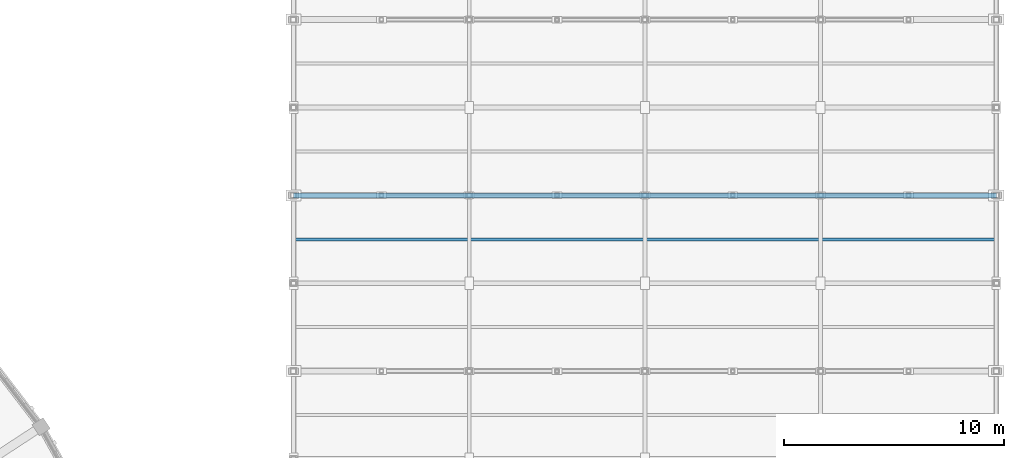
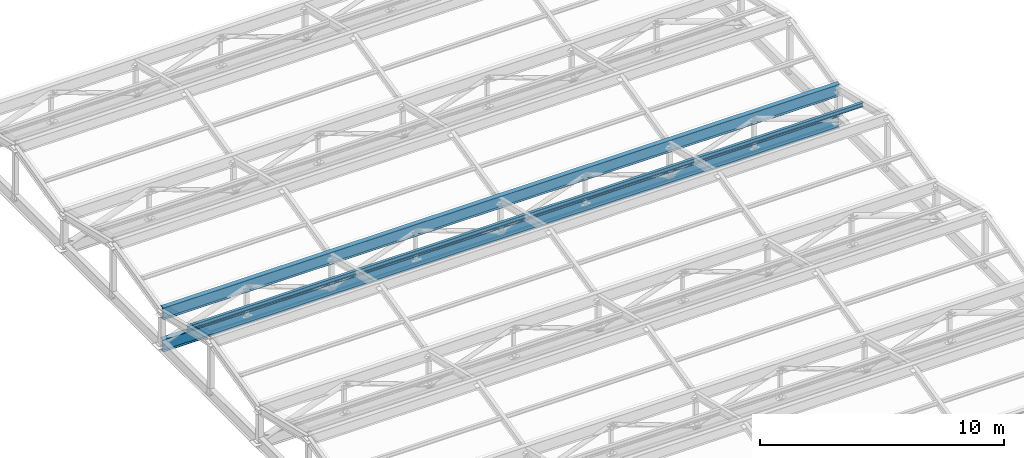
# One storey, part 53 of 112: 3 members.
"""IFC4 building model written with IfcOpenShell, lengths in metres."""

from ifc_helpers import new_model, si_unit, direction, frame, origin, origin_2d, place, context, subcontext, project, spatial, i_section, extrude, material, material_profile, profile_set, type_object, element, save


model = new_model("IFC4")

# Units and contexts
model_context = context("Model", 3, precision=1e-05, world=origin(), true_north=direction((0.0, 1.0)))
body_context = subcontext(model_context, "Body", "Model", "MODEL_VIEW")
ifc_project = project(units=[si_unit("LENGTHUNIT", "METRE"), si_unit("AREAUNIT", "SQUARE_METRE"), si_unit("VOLUMEUNIT", "CUBIC_METRE"), si_unit("PLANEANGLEUNIT", "RADIAN"), si_unit("MASSUNIT", "GRAM", prefix="KILO")], contexts=[model_context])

# Site, building, storey
site_placement = place(None, origin())
site = spatial("IfcSite", under=ifc_project, at=site_placement, CompositionType="ELEMENT")
building_placement = place(site_placement, origin())
building = spatial("IfcBuilding", under=site, at=building_placement, Name="Celadon Cloister-Ring School", CompositionType="ELEMENT")
storey_placement = place(building_placement, frame((0.0, 0.0, 8.5)))
storey = spatial("IfcBuildingStorey", under=building, at=storey_placement, Name="L02", CompositionType="ELEMENT", Elevation=8.5)

# Members
ifc_material_1 = material(Name="Structural steel S355JR", Category="steel")
ifc_material_profile_1 = material_profile(ifc_material_1, i_section(OverallWidth=0.22900390625, OverallDepth=0.612060546875, WebThickness=0.011962890625, FlangeThickness=0.01953125, at=origin_2d()), Name="W610X125")
ifc_profile_set_1 = profile_set([ifc_material_profile_1], Name="Structural steel S355JR")
member_type_1 = type_object("IfcMemberType", Name="MC-01", PredefinedType="CHORD", material=ifc_profile_set_1)
member_1_placement = place(storey_placement, frame((142.0, 98.0, 0.89990234375), z_axis=(1.0, 0.0, 0.0), x_axis=(0.0, 1.0, 0.0)))
element("IfcMember", 1, at=member_1_placement, inside=storey, type_object=member_type_1, Name="Structural Member 0452", PredefinedType="CHORD", context=body_context, shape_type="SweptSolid", body=[
    extrude(i_section(OverallWidth=0.22900390625, OverallDepth=0.612060546875, WebThickness=0.011962890625, FlangeThickness=0.01953125, at=origin_2d()), origin(), (0.0, 0.0, 1.0), 32.0),
])
ifc_material_2 = material(Name="Structural steel S355JR", Category="steel")
ifc_material_profile_2 = material_profile(ifc_material_2, i_section(OverallWidth=0.22802734375, OverallDepth=0.60302734375, WebThickness=0.010498046875, FlangeThickness=0.014892578125, at=origin_2d()), Name="W610X101")
ifc_profile_set_2 = profile_set([ifc_material_profile_2], Name="Structural steel S355JR")
member_type_2 = type_object("IfcMemberType", Name="MC-02", PredefinedType="CHORD", material=ifc_profile_set_2)
member_2_placement = place(storey_placement, frame((142.0, 98.0, 2.5), z_axis=(1.0, 0.0, 0.0), x_axis=(0.0, 1.0, 0.0)))
element("IfcMember", 2, at=member_2_placement, inside=storey, type_object=member_type_2, Name="Structural Member 0453", PredefinedType="CHORD", context=body_context, shape_type="SweptSolid", body=[
    extrude(i_section(OverallWidth=0.22802734375, OverallDepth=0.60302734375, WebThickness=0.010498046875, FlangeThickness=0.014892578125, at=origin_2d()), origin(), (0.0, 0.0, 1.0), 32.0),
])
ifc_material_3 = material(Name="Structural steel S355JR", Category="steel")
ifc_material_profile_3 = material_profile(ifc_material_3, i_section(OverallWidth=0.133056640625, OverallDepth=0.20703125, WebThickness=0.005859375, FlangeThickness=0.00830078125, at=origin_2d()), Name="W200X27")
ifc_profile_set_3 = profile_set([ifc_material_profile_3], Name="Structural steel S355JR")
member_type_3 = type_object("IfcMemberType", Name="MP-04", PredefinedType="PURLIN", material=ifc_profile_set_3)
member_3_placement = place(storey_placement, frame((142.02001953125, 96.0, 2.949951171875), z_axis=(1.0, 0.0, 0.0), x_axis=(0.0, 1.0, 0.0)))
element("IfcMember", 3, at=member_3_placement, inside=storey, type_object=member_type_3, Name="Structural Member 0551", PredefinedType="PURLIN", context=body_context, shape_type="SweptSolid", body=[
    extrude(i_section(OverallWidth=0.133056640625, OverallDepth=0.20703125, WebThickness=0.005859375, FlangeThickness=0.00830078125, at=origin_2d()), origin(), (0.0, 0.0, 1.0), 31.9599609375),
])

save(model, "model.ifc")
